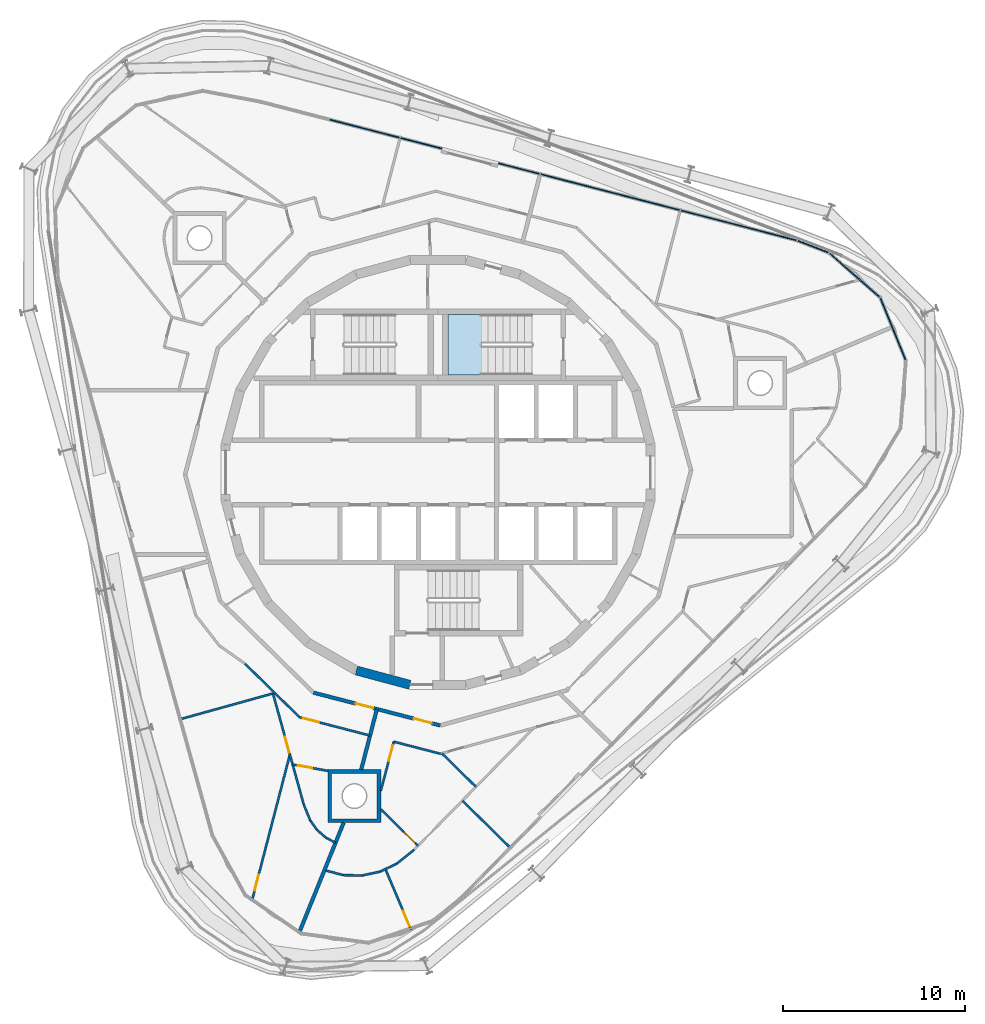
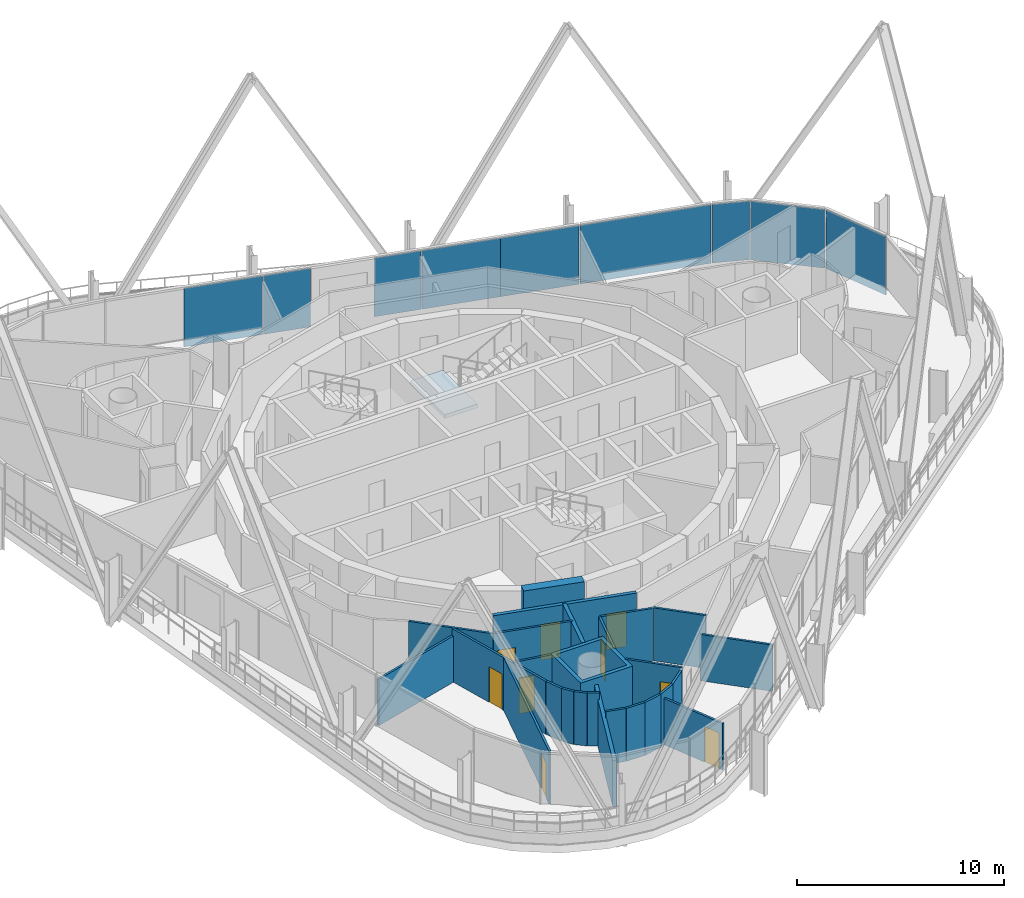
# One storey, part 9 of 18: 26 walls, 9 doors, 9 plates, 1 slab, 9 openings, 3 elements without a shape of their own.
"""IFC4 building model written with IfcOpenShell, lengths in metres."""

from ifc_helpers import new_model, si_unit, direction, frame, frame_2d, origin, origin_2d, place, context, subcontext, project, spatial, polyline, rectangle, outline, extrude, material, layer, layer_set, type_object, element, fill, aggregate, save


model = new_model("IFC4")

# Units and contexts
model_context = context("Model", 3, precision=1e-05, world=origin(), true_north=direction((0.0, 1.0)))
body_context = subcontext(model_context, "Body", "Model", "MODEL_VIEW")
ifc_project = project(units=[si_unit("LENGTHUNIT", "METRE"), si_unit("AREAUNIT", "SQUARE_METRE"), si_unit("VOLUMEUNIT", "CUBIC_METRE"), si_unit("PLANEANGLEUNIT", "RADIAN"), si_unit("MASSUNIT", "GRAM", prefix="KILO")], contexts=[model_context])

# Site, building, storey
site_placement = place(None, origin())
site = spatial("IfcSite", under=ifc_project, at=site_placement, CompositionType="ELEMENT")
building_placement = place(site_placement, origin())
building = spatial("IfcBuilding", under=site, at=building_placement, Name="Spindle Arch Residences", CompositionType="ELEMENT")
storey_placement = place(building_placement, frame((0.0, 0.0, 298.199951171875)))
storey = spatial("IfcBuildingStorey", under=building, at=storey_placement, Name="L76", CompositionType="ELEMENT", Elevation=298.199951171875)

# Stair, slab
ifc_material_1 = material(Name="Concrete C50/60", Category="concrete")
stair_type = type_object("IfcStairType", Name="Exit stair 16 risers", PredefinedType="HALF_TURN_STAIR", material=ifc_material_1)
stair_placement = place(storey_placement, origin())
stair = element("IfcStair", 1, at=stair_placement, inside=storey, type_object=stair_type, Name="L76 Exit stair ST1", PredefinedType="HALF_TURN_STAIR")
ifc_material_2 = material(Name="Concrete C50/60", Category="concrete")
ifc_layer_1 = layer(ifc_material_2, 0.219970703125)
ifc_layer_set_1 = layer_set([ifc_layer_1], Name="Exit stair landing 220")
slab_type = type_object("IfcSlabType", Name="Exit stair landing 220", PredefinedType="LANDING", material=ifc_layer_set_1)
slab_placement = place(storey_placement, frame((0.0, 0.0, 1.530029296875)))
slab = element("IfcSlab", 2, at=slab_placement, type_object=slab_type, Name="ST1 landing 1", PredefinedType="LANDING", context=body_context, shape_type="SweptSolid", body=[
    extrude(outline(polyline([(2.3701171875, 8.669921875), (0.550048828125, 8.669921875), (0.550048828125, 5.35009765625), (2.3701171875, 5.35009765625), (2.3701171875, 8.669921875)])), origin(), (0.0, 0.0, 1.0), 0.219970703125),
])
aggregate(stair, [slab])

# Curtain wall, plates
ifc_material_3 = material(Name="Aluminium bronze unitised frame with tinted glass", Category="aluminium")
ifc_layer_2 = layer(ifc_material_3, 0.159912109375)
ifc_layer_set_2 = layer_set([ifc_layer_2], Name="CW-D corner wall on the fillet arcs")
curtain_wall_type_1 = type_object("IfcCurtainWallType", Name="CW-D corner wall on the fillet arcs", PredefinedType="NOTDEFINED", material=ifc_layer_set_2)
curtain_wall_1_placement = place(storey_placement, origin())
curtain_wall_1 = element("IfcCurtainWall", 3, at=curtain_wall_1_placement, inside=storey, type_object=curtain_wall_type_1, Name="CW-D L76 run 1", PredefinedType="NOTDEFINED")
ifc_material_4 = material(Name="Tinted double glazing over aluminium faced non-combustible spandrel zone (K0)", Category="aluminium")
ifc_layer_3 = layer(ifc_material_4, 0.06005859375)
ifc_layer_set_3 = layer_set([ifc_layer_3], Name="Unitised glass panel with E 60 spandrel zone")
plate_type = type_object("IfcPlateType", Name="Unitised glass panel with E 60 spandrel zone", PredefinedType="CURTAIN_PANEL", material=ifc_layer_set_3)
plate_1_placement = place(storey_placement, frame((24.94384765625, 7.86474609375, -0.44970703125), z_axis=(0.0, 0.0, 1.0), x_axis=(-0.377302072189, 0.926090247396, 0.0)))
plate_1 = element("IfcPlate", 4, at=plate_1_placement, type_object=plate_type, Name="CW-D unit 03", PredefinedType="CURTAIN_PANEL", context=body_context, shape_type="SweptSolid", body=[
    extrude(rectangle(XDim=3.666748046875, YDim=0.06005859375, at=origin_2d()), origin(), (0.0, 0.0, 1.0), 3.449951171875),
])
plate_2_placement = place(storey_placement, frame((22.837890625, 10.81689453125, -0.44970703125), z_axis=(0.0, 0.0, 1.0), x_axis=(-0.752797991635, 0.658251611308, 0.0)))
plate_2 = element("IfcPlate", 5, at=plate_2_placement, type_object=plate_type, Name="CW-D unit 04", PredefinedType="CURTAIN_PANEL", context=body_context, shape_type="SweptSolid", body=[
    extrude(rectangle(XDim=3.666748046875, YDim=0.06005859375, at=origin_2d()), origin(), (0.0, 0.0, 1.0), 3.449951171875),
])
plate_3_placement = place(storey_placement, frame((20.560546875, 12.38232421875, -0.44970703125), z_axis=(0.0, 0.0, 1.0), x_axis=(-0.932534030225, 0.361082099353, 0.0)))
plate_3 = element("IfcPlate", 6, at=plate_3_placement, type_object=plate_type, Name="CW-D unit 05", PredefinedType="CURTAIN_PANEL", context=body_context, shape_type="SweptSolid", body=[
    extrude(rectangle(XDim=1.816162109375, YDim=0.06005859375, at=origin_2d()), origin(), (0.0, 0.0, 1.0), 3.449951171875),
])
plate_4_placement = place(storey_placement, frame((16.483154296875, 13.549072265625, -0.44970703125), z_axis=(0.0, 0.0, 1.0), x_axis=(-0.968147640378, 0.250380004054, 0.0)))
plate_4 = element("IfcPlate", 7, at=plate_4_placement, type_object=plate_type, Name="CW-D unit 06", PredefinedType="CURTAIN_PANEL", context=body_context, shape_type="SweptSolid", body=[
    extrude(rectangle(XDim=6.555908203125, YDim=0.06005859375, at=origin_2d()), origin(), (0.0, 0.0, 1.0), 3.449951171875),
])
aggregate(curtain_wall_1, [plate_1, plate_2, plate_3, plate_4])

ifc_material_5 = material(Name="Aluminium bronze unitised frame with tinted glass", Category="aluminium")
ifc_layer_4 = layer(ifc_material_5, 0.159912109375)
ifc_layer_set_4 = layer_set([ifc_layer_4], Name="CW-C typical residential unitised wall")
curtain_wall_type_2 = type_object("IfcCurtainWallType", Name="CW-C typical residential unitised wall", PredefinedType="NOTDEFINED", material=ifc_layer_set_4)
curtain_wall_2_placement = place(storey_placement, origin())
curtain_wall_2 = element("IfcCurtainWall", 8, at=curtain_wall_2_placement, inside=storey, type_object=curtain_wall_type_2, Name="CW-C L76 run 2", PredefinedType="NOTDEFINED")
plate_5_placement = place(storey_placement, frame((11.34521484375, 14.8779296875, -0.44970703125), z_axis=(0.0, 0.0, 1.0), x_axis=(-0.968147640378, 0.250380004054, 0.0)))
plate_5 = element("IfcPlate", 9, at=plate_5_placement, type_object=plate_type, Name="CW-C unit 05A", PredefinedType="CURTAIN_PANEL", context=body_context, shape_type="SweptSolid", body=[
    extrude(rectangle(XDim=3.9375, YDim=0.06005859375, at=origin_2d()), origin(), (0.0, 0.0, 1.0), 3.449951171875),
])
plate_6_placement = place(storey_placement, frame((7.533203125, 15.86376953125, -0.44970703125), z_axis=(0.0, 0.0, 1.0), x_axis=(-0.968147640378, 0.250380004054, 0.0)))
plate_6 = element("IfcPlate", 10, at=plate_6_placement, type_object=plate_type, Name="CW-C unit 05B", PredefinedType="CURTAIN_PANEL", context=body_context, shape_type="SweptSolid", body=[
    extrude(rectangle(XDim=3.9375, YDim=0.06005859375, at=origin_2d()), origin(), (0.0, 0.0, 1.0), 3.449951171875),
])
plate_7_placement = place(storey_placement, frame((4.4375, 16.664306640625, -0.44970703125), z_axis=(0.0, 0.0, 1.0), x_axis=(-0.968147640378, 0.250380004054, 0.0)))
plate_7 = element("IfcPlate", 11, at=plate_7_placement, type_object=plate_type, Name="CW-C unit 06L", PredefinedType="CURTAIN_PANEL", context=body_context, shape_type="SweptSolid", body=[
    extrude(rectangle(XDim=2.337646484375, YDim=0.06005859375, at=origin_2d()), origin(), (0.0, 0.0, 1.0), 3.449951171875),
])
plate_8_placement = place(storey_placement, frame((-0.923583984375, 18.05078125, -0.44970703125), z_axis=(0.0, 0.0, 1.0), x_axis=(-0.968147640378, 0.250380004054, 0.0)))
plate_8 = element("IfcPlate", 12, at=plate_8_placement, type_object=plate_type, Name="CW-C unit 06R", PredefinedType="CURTAIN_PANEL", context=body_context, shape_type="SweptSolid", body=[
    extrude(rectangle(XDim=2.337646484375, YDim=0.06005859375, at=origin_2d()), origin(), (0.0, 0.0, 1.0), 3.449951171875),
])
plate_9_placement = place(storey_placement, frame((-4.019287109375, 18.8515625, -0.44970703125), z_axis=(0.0, 0.0, 1.0), x_axis=(-0.968147640378, 0.250380004054, 0.0)))
plate_9 = element("IfcPlate", 13, at=plate_9_placement, type_object=plate_type, Name="CW-C unit 07A", PredefinedType="CURTAIN_PANEL", context=body_context, shape_type="SweptSolid", body=[
    extrude(rectangle(XDim=3.9375, YDim=0.06005859375, at=origin_2d()), origin(), (0.0, 0.0, 1.0), 3.449951171875),
])
aggregate(curtain_wall_2, [plate_5, plate_6, plate_7, plate_8, plate_9])

# Wall
ifc_material_6 = material(Name="Concrete C50/60", Category="concrete")
ifc_layer_5 = layer(ifc_material_6, 0.5)
ifc_layer_set_5 = layer_set([ifc_layer_5], Name="Core outline wall 500")
wall_type_1 = type_object("IfcWallType", Name="Core outline wall 500", PredefinedType="SHEAR", material=ifc_layer_set_5)
wall_1_placement = place(storey_placement, frame((-4.479248046875, -10.858154296875, 0.0), z_axis=(0.0, 0.0, 1.0), x_axis=(0.965948410781, -0.258734743916, 0.0)))
element("IfcWall", 14, at=wall_1_placement, inside=storey, type_object=wall_type_1, Name="Core outline wall 23", PredefinedType="SHEAR", context=body_context, shape_type="SweptSolid", body=[
    extrude(rectangle(XDim=3.03271484375, YDim=0.5, at=frame_2d((1.516357421875, 0.0))), origin(), (0.0, 0.0, 1.0), 3.1201171875),
])

# Wall, openings, doors
ifc_material_7 = material(Name="Calcium silicate block, plastered")
ifc_layer_6 = layer(ifc_material_7, 0.199951171875)
ifc_layer_set_6 = layer_set([ifc_layer_6], Name="Corridor wall 200")
wall_type_2 = type_object("IfcWallType", Name="Corridor wall 200", PredefinedType="STANDARD", material=ifc_layer_set_6)
wall_2_placement = place(storey_placement, frame((-6.831298828125, -12.07421875, 0.0), z_axis=(0.0, 0.0, 1.0), x_axis=(0.968144780225, -0.250391063186, 0.0)))
wall_2 = element("IfcWall", 15, at=wall_2_placement, inside=storey, type_object=wall_type_2, Name="Corridor wall R8A0-W014", PredefinedType="STANDARD", context=body_context, shape_type="SweptSolid", body=[
    extrude(rectangle(XDim=7.18115234375, YDim=0.199951171875, at=frame_2d((3.590576171875, 0.0))), origin(), (0.0, 0.0, 1.0), 3.1201171875),
])
opening_1_placement = place(wall_2_placement, frame((2.390380859375, 0.0, 0.0)))
opening_1 = element("IfcOpeningElement", 16, at=opening_1_placement, cuts=wall_2, Name="Opening R8A0-FD04", PredefinedType="OPENING", context=body_context, shape_type="SweptSolid", body=[
    extrude(rectangle(XDim=1.0, YDim=2.10009765625, at=frame_2d((0.5, 1.050048828125))), frame((0.0, 0.10986328125, 0.0), z_axis=(0.0, -1.0, 0.0), x_axis=(1.0, 0.0, 0.0)), (0.0, 0.0, 1.0), 0.219970703125),
])
opening_2_placement = place(wall_2_placement, frame((5.6904296875, 0.0, 0.0)))
opening_2 = element("IfcOpeningElement", 17, at=opening_2_placement, cuts=wall_2, Name="Opening R8A0-FD05", PredefinedType="OPENING", context=body_context, shape_type="SweptSolid", body=[
    extrude(rectangle(XDim=1.0, YDim=2.10009765625, at=frame_2d((0.5, 1.050048828125))), frame((0.0, 0.10986328125, 0.0), z_axis=(0.0, -1.0, 0.0), x_axis=(1.0, 0.0, 0.0)), (0.0, 0.0, 1.0), 0.219970703125),
])
ifc_material_8 = material(Name="Timber, fire-resisting door set", Category="wood")
door_type_1 = type_object("IfcDoorType", Name="Flat entrance door 1000x2100", OperationType="NOTDEFINED", PredefinedType="DOOR", material=ifc_material_8)
door_1_placement = place(opening_1_placement, origin())
door_1 = element("IfcDoor", 18, at=door_1_placement, inside=storey, type_object=door_type_1, Name="Flat entrance door R8A0-FD04", OperationType="SINGLE_SWING_RIGHT", OverallHeight=2.10009765625, OverallWidth=1.0, PredefinedType="DOOR", context=body_context, shape_type="SweptSolid", body=[
    extrude(rectangle(XDim=1.0, YDim=2.10009765625, at=frame_2d((0.5, 1.050048828125))), frame((0.0, 0.02490234375, 0.0), z_axis=(0.0, -1.0, 0.0), x_axis=(1.0, 0.0, 0.0)), (0.0, 0.0, 1.0), 0.050048828125),
])
fill(opening_1, door_1)
door_2_placement = place(opening_2_placement, origin())
door_2 = element("IfcDoor", 19, at=door_2_placement, inside=storey, type_object=door_type_1, Name="Flat entrance door R8A0-FD05", OperationType="SINGLE_SWING_LEFT", OverallHeight=2.10009765625, OverallWidth=1.0, PredefinedType="DOOR", context=body_context, shape_type="SweptSolid", body=[
    extrude(rectangle(XDim=1.0, YDim=2.10009765625, at=frame_2d((0.5, 1.050048828125))), frame((0.0, 0.02490234375, 0.0), z_axis=(0.0, -1.0, 0.0), x_axis=(1.0, 0.0, 0.0)), (0.0, 0.0, 1.0), 0.050048828125),
])
fill(opening_2, door_2)

# Wall
ifc_material_9 = material(Name="Plasterboard on steel studs", Category="steel")
ifc_layer_7 = layer(ifc_material_9, 0.1201171875)
ifc_layer_set_7 = layer_set([ifc_layer_7], Name="Flat partition 120")
wall_type_3 = type_object("IfcWallType", Name="Flat partition 120", PredefinedType="PARTITIONING", material=ifc_layer_set_7)
wall_3_placement = place(storey_placement, frame((-10.59033203125, -10.483154296875, 0.0), z_axis=(0.0, 0.0, 1.0), x_axis=(0.713244109461, -0.70091571556, 0.0)))
element("IfcWall", 20, at=wall_3_placement, inside=storey, type_object=wall_type_3, Name="Flat partition R8A0-W073", PredefinedType="PARTITIONING", context=body_context, shape_type="SweptSolid", body=[
    extrude(rectangle(XDim=4.1982421875, YDim=0.1201171875, at=frame_2d((2.09912109375, 0.0))), origin(), (0.0, 0.0, 1.0), 3.1201171875),
])

# Wall, opening, door
wall_4_placement = place(storey_placement, frame((-7.595947265625, -13.42578125, 0.0), z_axis=(0.0, 0.0, 1.0), x_axis=(0.96815406745, -0.250355151095, 0.0)))
wall_4 = element("IfcWall", 21, at=wall_4_placement, inside=storey, type_object=wall_type_3, Name="Flat partition R8A0-W074", PredefinedType="PARTITIONING", context=body_context, shape_type="SweptSolid", body=[
    extrude(rectangle(XDim=3.992431640625, YDim=0.1201171875, at=frame_2d((1.99609375, 0.0))), origin(), (0.0, 0.0, 1.0), 3.1201171875),
])
opening_3_placement = place(wall_4_placement, frame((0.199951171875, 0.0, 0.0)))
opening_3 = element("IfcOpeningElement", 22, at=opening_3_placement, cuts=wall_4, Name="Opening R8A0-ID13", PredefinedType="OPENING", context=body_context, shape_type="SweptSolid", body=[
    extrude(rectangle(XDim=0.89990234375, YDim=2.10009765625, at=frame_2d((0.449951171875, 1.050048828125))), frame((0.0, 0.070068359375, 0.0), z_axis=(0.0, -1.0, 0.0), x_axis=(1.0, 0.0, 0.0)), (0.0, 0.0, 1.0), 0.14013671875),
])
ifc_material_10 = material(Name="Timber door set", Category="wood")
door_type_2 = type_object("IfcDoorType", Name="Room door 900x2100", OperationType="NOTDEFINED", PredefinedType="DOOR", material=ifc_material_10)
door_3_placement = place(opening_3_placement, origin())
door_3 = element("IfcDoor", 23, at=door_3_placement, inside=storey, type_object=door_type_2, Name="Room door R8A0-ID13", OperationType="SINGLE_SWING_RIGHT", OverallHeight=2.10009765625, OverallWidth=0.89990234375, PredefinedType="DOOR", context=body_context, shape_type="SweptSolid", body=[
    extrude(rectangle(XDim=0.89990234375, YDim=2.10009765625, at=frame_2d((0.449951171875, 1.050048828125))), frame((0.0, 0.02490234375, 0.0), z_axis=(0.0, -1.0, 0.0), x_axis=(1.0, 0.0, 0.0)), (0.0, 0.0, 1.0), 0.050048828125),
])
fill(opening_3, door_3)

wall_5_placement = place(storey_placement, frame((-7.368408203125, -18.201904296875, 0.0), z_axis=(0.0, 0.0, 1.0), x_axis=(-0.26723158658, 0.963632336077, 0.0)))
wall_5 = element("IfcWall", 24, at=wall_5_placement, inside=storey, type_object=wall_type_3, Name="Flat partition R8A0-W076", PredefinedType="PARTITIONING", context=body_context, shape_type="SweptSolid", body=[
    extrude(rectangle(XDim=6.35302734375, YDim=0.1201171875, at=frame_2d((3.176513671875, 0.0))), origin(), (0.0, 0.0, 1.0), 3.1201171875),
])
opening_4_placement = place(wall_5_placement, frame((2.9560546875, 0.0, 0.0)))
opening_4 = element("IfcOpeningElement", 25, at=opening_4_placement, cuts=wall_5, Name="Opening R8A0-ID14", PredefinedType="OPENING", context=body_context, shape_type="SweptSolid", body=[
    extrude(rectangle(XDim=0.89990234375, YDim=2.10009765625, at=frame_2d((0.449951171875, 1.050048828125))), frame((0.0, 0.070068359375, 0.0), z_axis=(0.0, -1.0, 0.0), x_axis=(1.0, 0.0, 0.0)), (0.0, 0.0, 1.0), 0.14013671875),
])
door_4_placement = place(opening_4_placement, origin())
door_4 = element("IfcDoor", 26, at=door_4_placement, inside=storey, type_object=door_type_2, Name="Room door R8A0-ID14", OperationType="SINGLE_SWING_RIGHT", OverallHeight=2.10009765625, OverallWidth=0.89990234375, PredefinedType="DOOR", context=body_context, shape_type="SweptSolid", body=[
    extrude(rectangle(XDim=0.89990234375, YDim=2.10009765625, at=frame_2d((0.449951171875, 1.050048828125))), frame((0.0, 0.02490234375, 0.0), z_axis=(0.0, -1.0, 0.0), x_axis=(1.0, 0.0, 0.0)), (0.0, 0.0, 1.0), 0.050048828125),
])
fill(opening_4, door_4)

wall_6_placement = place(storey_placement, frame((-10.18603515625, -23.406494140625, 0.0), z_axis=(0.0, 0.0, 1.0), x_axis=(0.251184292323, 0.967939280787, 0.0)))
wall_6 = element("IfcWall", 27, at=wall_6_placement, inside=storey, type_object=wall_type_3, Name="Flat partition R8A0-W077", PredefinedType="PARTITIONING", context=body_context, shape_type="SweptSolid", body=[
    extrude(rectangle(XDim=8.200439453125, YDim=0.1201171875, at=frame_2d((4.10009765625, 0.0))), origin(), (0.0, 0.0, 1.0), 3.1201171875),
])
opening_5_placement = place(wall_6_placement, frame((0.5, 0.0, 0.0)))
opening_5 = element("IfcOpeningElement", 28, at=opening_5_placement, cuts=wall_6, Name="Opening R8A0-ID15", PredefinedType="OPENING", context=body_context, shape_type="SweptSolid", body=[
    extrude(rectangle(XDim=0.89990234375, YDim=2.10009765625, at=frame_2d((0.449951171875, 1.050048828125))), frame((0.0, 0.070068359375, 0.0), z_axis=(0.0, -1.0, 0.0), x_axis=(1.0, 0.0, 0.0)), (0.0, 0.0, 1.0), 0.14013671875),
])
door_5_placement = place(opening_5_placement, origin())
door_5 = element("IfcDoor", 29, at=door_5_placement, inside=storey, type_object=door_type_2, Name="Room door R8A0-ID15", OperationType="SINGLE_SWING_RIGHT", OverallHeight=2.10009765625, OverallWidth=0.89990234375, PredefinedType="DOOR", context=body_context, shape_type="SweptSolid", body=[
    extrude(rectangle(XDim=0.89990234375, YDim=2.10009765625, at=frame_2d((0.449951171875, 1.050048828125))), frame((0.0, 0.02490234375, 0.0), z_axis=(0.0, -1.0, 0.0), x_axis=(1.0, 0.0, 0.0)), (0.0, 0.0, 1.0), 0.050048828125),
])
fill(opening_5, door_5)

wall_7_placement = place(storey_placement, frame((-7.974853515625, -16.014892578125, 0.0), z_axis=(0.0, 0.0, 1.0), x_axis=(0.984356897167, -0.176185978441, 0.0)))
wall_7 = element("IfcWall", 30, at=wall_7_placement, inside=storey, type_object=wall_type_3, Name="Flat partition R8A0-W078", PredefinedType="PARTITIONING", context=body_context, shape_type="SweptSolid", body=[
    extrude(rectangle(XDim=1.96630859375, YDim=0.1201171875, at=frame_2d((0.983154296875, 0.0))), origin(), (0.0, 0.0, 1.0), 3.1201171875),
])
opening_6_placement = place(wall_7_placement, frame((0.300048828125, 0.0, 0.0)))
opening_6 = element("IfcOpeningElement", 31, at=opening_6_placement, cuts=wall_7, Name="Opening R8A0-BD04", PredefinedType="OPENING", context=body_context, shape_type="SweptSolid", body=[
    extrude(rectangle(XDim=0.800048828125, YDim=2.10009765625, at=frame_2d((0.39990234375, 1.050048828125))), frame((0.0, 0.070068359375, 0.0), z_axis=(0.0, -1.0, 0.0), x_axis=(1.0, 0.0, 0.0)), (0.0, 0.0, 1.0), 0.14013671875),
])
ifc_material_11 = material(Name="Timber door set", Category="wood")
door_type_3 = type_object("IfcDoorType", Name="Bathroom door 800x2100", OperationType="NOTDEFINED", PredefinedType="DOOR", material=ifc_material_11)
door_6_placement = place(opening_6_placement, origin())
door_6 = element("IfcDoor", 32, at=door_6_placement, inside=storey, type_object=door_type_3, Name="Bathroom door R8A0-BD04", OperationType="SINGLE_SWING_RIGHT", OverallHeight=2.10009765625, OverallWidth=0.800048828125, PredefinedType="DOOR", context=body_context, shape_type="SweptSolid", body=[
    extrude(rectangle(XDim=0.800048828125, YDim=2.10009765625, at=frame_2d((0.39990234375, 1.050048828125))), frame((0.0, 0.02490234375, 0.0), z_axis=(0.0, -1.0, 0.0), x_axis=(1.0, 0.0, 0.0)), (0.0, 0.0, 1.0), 0.050048828125),
])
fill(opening_6, door_6)

# Walls
wall_8_placement = place(storey_placement, frame((-5.623291015625, -20.3046875, 0.0), z_axis=(0.0, 0.0, 1.0), x_axis=(-0.884133271246, 0.467234800369, 0.0)))
element("IfcWall", 33, at=wall_8_placement, inside=storey, type_object=wall_type_3, Name="Flat partition R8A0-W079", PredefinedType="PARTITIONING", context=body_context, shape_type="SweptSolid", body=[
    extrude(rectangle(XDim=0.601318359375, YDim=0.1201171875, at=frame_2d((0.30078125, 0.0))), origin(), (0.0, 0.0, 1.0), 3.1201171875),
])
wall_9_placement = place(storey_placement, frame((-6.155029296875, -20.023681640625, 0.0), z_axis=(0.0, 0.0, 1.0), x_axis=(-0.753047703781, 0.657965923001, 0.0)))
element("IfcWall", 34, at=wall_9_placement, inside=storey, type_object=wall_type_3, Name="Flat partition R8A0-W080", PredefinedType="PARTITIONING", context=body_context, shape_type="SweptSolid", body=[
    extrude(rectangle(XDim=0.641845703125, YDim=0.1201171875, at=frame_2d((0.32080078125, 0.0))), origin(), (0.0, 0.0, 1.0), 3.1201171875),
])
wall_10_placement = place(storey_placement, frame((-6.638427734375, -19.601318359375, 0.0), z_axis=(0.0, 0.0, 1.0), x_axis=(-0.580662514246, 0.814144363458, 0.0)))
element("IfcWall", 35, at=wall_10_placement, inside=storey, type_object=wall_type_3, Name="Flat partition R8A0-W081", PredefinedType="PARTITIONING", context=body_context, shape_type="SweptSolid", body=[
    extrude(rectangle(XDim=0.64208984375, YDim=0.1201171875, at=frame_2d((0.321044921875, 0.0))), origin(), (0.0, 0.0, 1.0), 3.1201171875),
])
wall_11_placement = place(storey_placement, frame((-7.01123046875, -19.07861328125, 0.0), z_axis=(0.0, 0.0, 1.0), x_axis=(-0.377296887314, 0.92609235977, 0.0)))
element("IfcWall", 36, at=wall_11_placement, inside=storey, type_object=wall_type_3, Name="Flat partition R8A0-W082", PredefinedType="PARTITIONING", context=body_context, shape_type="SweptSolid", body=[
    extrude(rectangle(XDim=0.94677734375, YDim=0.1201171875, at=frame_2d((0.473388671875, 0.0))), origin(), (0.0, 0.0, 1.0), 3.1201171875),
])

# Wall, opening, door
wall_12_placement = place(storey_placement, frame((-3.139404296875, -17.447509765625, 0.0), z_axis=(0.0, 0.0, 1.0), x_axis=(0.256551998295, 0.966530430028, 0.0)))
wall_12 = element("IfcWall", 37, at=wall_12_placement, inside=storey, type_object=wall_type_3, Name="Flat partition R8A0-W083", PredefinedType="PARTITIONING", context=body_context, shape_type="SweptSolid", body=[
    extrude(rectangle(XDim=2.77783203125, YDim=0.1201171875, at=frame_2d((1.388916015625, 0.0))), origin(), (0.0, 0.0, 1.0), 3.1201171875),
])
opening_7_placement = place(wall_12_placement, frame((1.677978515625, 0.0, 0.0)))
opening_7 = element("IfcOpeningElement", 38, at=opening_7_placement, cuts=wall_12, Name="Opening R8A0-ID16", PredefinedType="OPENING", context=body_context, shape_type="SweptSolid", body=[
    extrude(rectangle(XDim=0.89990234375, YDim=2.10009765625, at=frame_2d((0.449951171875, 1.050048828125))), frame((0.0, 0.070068359375, 0.0), z_axis=(0.0, -1.0, 0.0), x_axis=(1.0, 0.0, 0.0)), (0.0, 0.0, 1.0), 0.14013671875),
])
door_7_placement = place(opening_7_placement, origin())
door_7 = element("IfcDoor", 39, at=door_7_placement, inside=storey, type_object=door_type_2, Name="Room door R8A0-ID16", OperationType="SINGLE_SWING_LEFT", OverallHeight=2.10009765625, OverallWidth=0.89990234375, PredefinedType="DOOR", context=body_context, shape_type="SweptSolid", body=[
    extrude(rectangle(XDim=0.89990234375, YDim=2.10009765625, at=frame_2d((0.449951171875, 1.050048828125))), frame((0.0, 0.02490234375, 0.0), z_axis=(0.0, -1.0, 0.0), x_axis=(1.0, 0.0, 0.0)), (0.0, 0.0, 1.0), 0.050048828125),
])
fill(opening_7, door_7)

# Walls
wall_13_placement = place(storey_placement, frame((-2.4267578125, -14.7626953125, 0.0), z_axis=(0.0, 0.0, 1.0), x_axis=(0.968151154118, -0.250366417036, 0.0)))
element("IfcWall", 40, at=wall_13_placement, inside=storey, type_object=wall_type_3, Name="Flat partition R8A0-W084", PredefinedType="PARTITIONING", context=body_context, shape_type="SweptSolid", body=[
    extrude(rectangle(XDim=2.6455078125, YDim=0.1201171875, at=frame_2d((1.32275390625, 0.0))), origin(), (0.0, 0.0, 1.0), 3.1201171875),
])
wall_14_placement = place(storey_placement, frame((-2.259765625, -21.44921875, 0.0), z_axis=(0.0, 0.0, 1.0), x_axis=(-0.90254047062, -0.430605038166, 0.0)))
element("IfcWall", 41, at=wall_14_placement, inside=storey, type_object=wall_type_3, Name="Flat partition R8A0-W086", PredefinedType="PARTITIONING", context=body_context, shape_type="SweptSolid", body=[
    extrude(rectangle(XDim=1.01611328125, YDim=0.1201171875, at=frame_2d((0.508056640625, 0.0))), origin(), (0.0, 0.0, 1.0), 3.1201171875),
])
for number, where, z_axis, x_axis, name in (
    (42, (-3.1767578125, -21.88671875, 0.0), (0.0, 0.0, 1.0), (-0.977541432368, -0.210743322563, 0.0), "Flat partition R8A0-W087"),
    (43, (-4.169921875, -22.100830078125, 0.0), (0.0, 0.0, 1.0), (-0.999791317883, 0.02042842837, 0.0), "Flat partition R8A0-W088"),
):
    element("IfcWall", number, at=place(storey_placement, frame(where, z_axis=z_axis, x_axis=x_axis)), inside=storey, type_object=wall_type_3, Name=name, PredefinedType="PARTITIONING", context=body_context, shape_type="SweptSolid", body=[
        extrude(rectangle(XDim=1.015869140625, YDim=0.1201171875, at=frame_2d((0.5078125, 0.0))), origin(), (0.0, 0.0, 1.0), 3.1201171875),
    ])
wall_15_placement = place(storey_placement, frame((-5.185546875, -22.080078125, 0.0), z_axis=(0.0, 0.0, 1.0), x_axis=(-0.968145907309, 0.250386705241, 0.0)))
element("IfcWall", 44, at=wall_15_placement, inside=storey, type_object=wall_type_3, Name="Flat partition R8A0-W089", PredefinedType="PARTITIONING", context=body_context, shape_type="SweptSolid", body=[
    extrude(rectangle(XDim=1.01611328125, YDim=0.1201171875, at=frame_2d((0.508056640625, 0.0))), origin(), (0.0, 0.0, 1.0), 3.1201171875),
])

# Wall, opening, door
wall_16_placement = place(storey_placement, frame((-1.101318359375, -20.4736328125, 0.0), z_axis=(0.0, 0.0, 1.0), x_axis=(-0.713316946232, 0.700841589961, 0.0)))
wall_16 = element("IfcWall", 45, at=wall_16_placement, inside=storey, type_object=wall_type_3, Name="Flat partition R8A0-W091", PredefinedType="PARTITIONING", context=body_context, shape_type="SweptSolid", body=[
    extrude(rectangle(XDim=2.857177734375, YDim=0.1201171875, at=frame_2d((1.4287109375, 0.0))), origin(), (0.0, 0.0, 1.0), 3.1201171875),
])
opening_8_placement = place(wall_16_placement, frame((0.199951171875, 0.0, 0.0)))
opening_8 = element("IfcOpeningElement", 46, at=opening_8_placement, cuts=wall_16, Name="Opening R8A0-ID18", PredefinedType="OPENING", context=body_context, shape_type="SweptSolid", body=[
    extrude(rectangle(XDim=0.89990234375, YDim=2.10009765625, at=frame_2d((0.449951171875, 1.050048828125))), frame((0.0, 0.070068359375, 0.0), z_axis=(0.0, -1.0, 0.0), x_axis=(1.0, 0.0, 0.0)), (0.0, 0.0, 1.0), 0.14013671875),
])
door_8_placement = place(opening_8_placement, origin())
door_8 = element("IfcDoor", 47, at=door_8_placement, inside=storey, type_object=door_type_2, Name="Room door R8A0-ID18", OperationType="SINGLE_SWING_LEFT", OverallHeight=2.10009765625, OverallWidth=0.89990234375, PredefinedType="DOOR", context=body_context, shape_type="SweptSolid", body=[
    extrude(rectangle(XDim=0.89990234375, YDim=2.10009765625, at=frame_2d((0.449951171875, 1.050048828125))), frame((0.0, 0.02490234375, 0.0), z_axis=(0.0, -1.0, 0.0), x_axis=(1.0, 0.0, 0.0)), (0.0, 0.0, 1.0), 0.050048828125),
])
fill(opening_8, door_8)

# Walls
wall_17_placement = place(storey_placement, frame((-2.259765625, -21.44921875, 0.0), z_axis=(0.0, 0.0, 1.0), x_axis=(0.779021167429, 0.626997624156, 0.0)))
element("IfcWall", 48, at=wall_17_placement, inside=storey, type_object=wall_type_3, Name="Flat partition R8A0-W092", PredefinedType="PARTITIONING", context=body_context, shape_type="SweptSolid", body=[
    extrude(rectangle(XDim=1.22705078125, YDim=0.1201171875, at=frame_2d((0.613525390625, 0.0))), origin(), (0.0, 0.0, 1.0), 3.1201171875),
])
wall_18_placement = place(storey_placement, frame((2.076904296875, -17.2392578125, 0.0), z_axis=(0.0, 0.0, 1.0), x_axis=(-0.713235001716, 0.700924983381, 0.0)))
element("IfcWall", 49, at=wall_18_placement, inside=storey, type_object=wall_type_3, Name="Flat partition R8A0-W094", PredefinedType="PARTITIONING", context=body_context, shape_type="SweptSolid", body=[
    extrude(rectangle(XDim=2.617919921875, YDim=0.1201171875, at=frame_2d((1.30908203125, 0.0))), origin(), (0.0, 0.0, 1.0), 3.1201171875),
])
ifc_material_12 = material(Name="Plasterboard on steel studs", Category="steel")
ifc_layer_8 = layer(ifc_material_12, 0.1201171875)
ifc_layer_set_8 = layer_set([ifc_layer_8], Name="Flat partition 120 under beam 2730")
wall_type_4 = type_object("IfcWallType", Name="Flat partition 120 under beam 2730", PredefinedType="PARTITIONING", material=ifc_layer_set_8)
wall_19_placement = place(storey_placement, frame((-14.06640625, -13.5078125, 0.0), z_axis=(0.0, 0.0, 1.0), x_axis=(0.963643585504, 0.267191018032, 0.0)))
element("IfcWall", 50, at=wall_19_placement, inside=storey, type_object=wall_type_4, Name="Flat partition R8A0-W075", PredefinedType="PARTITIONING", context=body_context, shape_type="SweptSolid", body=[
    extrude(rectangle(XDim=5.199951171875, YDim=0.1201171875, at=frame_2d((2.60009765625, 0.0))), origin(), (0.0, 0.0, 1.0), 2.72998046875),
])

# Wall, opening, door
wall_20_placement = place(storey_placement, frame((-1.47998046875, -25.06591796875, 0.0), z_axis=(0.0, 0.0, 1.0), x_axis=(-0.3909326022, 0.920419306912, 0.0)))
wall_20 = element("IfcWall", 51, at=wall_20_placement, inside=storey, type_object=wall_type_4, Name="Flat partition R8A0-W090", PredefinedType="PARTITIONING", context=body_context, shape_type="SweptSolid", body=[
    extrude(rectangle(XDim=3.603515625, YDim=0.1201171875, at=frame_2d((1.8017578125, 0.0))), origin(), (0.0, 0.0, 1.0), 2.72998046875),
])
opening_9_placement = place(wall_20_placement, frame((0.199951171875, 0.0, 0.0)))
opening_9 = element("IfcOpeningElement", 52, at=opening_9_placement, cuts=wall_20, Name="Opening R8A0-ID20", PredefinedType="OPENING", context=body_context, shape_type="SweptSolid", body=[
    extrude(rectangle(XDim=0.89990234375, YDim=2.10009765625, at=frame_2d((0.449951171875, 1.050048828125))), frame((0.0, 0.070068359375, 0.0), z_axis=(0.0, -1.0, 0.0), x_axis=(1.0, 0.0, 0.0)), (0.0, 0.0, 1.0), 0.14013671875),
])
door_9_placement = place(opening_9_placement, origin())
door_9 = element("IfcDoor", 53, at=door_9_placement, inside=storey, type_object=door_type_2, Name="Room door R8A0-ID20", OperationType="SINGLE_SWING_LEFT", OverallHeight=2.10009765625, OverallWidth=0.89990234375, PredefinedType="DOOR", context=body_context, shape_type="SweptSolid", body=[
    extrude(rectangle(XDim=0.89990234375, YDim=2.10009765625, at=frame_2d((0.449951171875, 1.050048828125))), frame((0.0, 0.02490234375, 0.0), z_axis=(0.0, -1.0, 0.0), x_axis=(1.0, 0.0, 0.0)), (0.0, 0.0, 1.0), 0.050048828125),
])
fill(opening_9, door_9)

# Walls
wall_21_placement = place(storey_placement, frame((3.89990234375, -20.5205078125, 0.0), z_axis=(0.0, 0.0, 1.0), x_axis=(-0.713217465002, 0.700942827637, 0.0)))
element("IfcWall", 54, at=wall_21_placement, inside=storey, type_object=wall_type_4, Name="Flat partition R8A0-W095", PredefinedType="PARTITIONING", context=body_context, shape_type="SweptSolid", body=[
    extrude(rectangle(XDim=3.60009765625, YDim=0.1201171875, at=frame_2d((1.800048828125, 0.0))), origin(), (0.0, 0.0, 1.0), 2.72998046875),
])
ifc_material_13 = material(Name="Calcium silicate block, plastered")
ifc_layer_9 = layer(ifc_material_13, 0.199951171875)
ifc_layer_set_9 = layer_set([ifc_layer_9], Name="Flat party wall 200")
wall_type_5 = type_object("IfcWallType", Name="Flat party wall 200", PredefinedType="STANDARD", material=ifc_layer_set_9)
wall_22_placement = place(storey_placement, frame((-4.21435546875, -16.29541015625, 0.0), z_axis=(0.0, 0.0, 1.0), x_axis=(0.250428810918, 0.968135016752, 0.0)))
element("IfcWall", 55, at=wall_22_placement, inside=storey, type_object=wall_type_5, Name="Flat party wall R8A0-W029", PredefinedType="STANDARD", context=body_context, shape_type="SweptSolid", body=[
    extrude(rectangle(XDim=3.431640625, YDim=0.199951171875, at=frame_2d((1.7158203125, 0.0))), origin(), (0.0, 0.0, 1.0), 3.1201171875),
])
ifc_material_14 = material(Name="Calcium silicate block, plastered")
ifc_layer_10 = layer(ifc_material_14, 0.199951171875)
ifc_layer_set_10 = layer_set([ifc_layer_10], Name="Flat party wall 200 under beam 2730")
wall_type_6 = type_object("IfcWallType", Name="Flat party wall 200 under beam 2730", PredefinedType="STANDARD", material=ifc_layer_set_10)
wall_23_placement = place(storey_placement, frame((-7.581787109375, -25.15087890625, 0.0), z_axis=(0.0, 0.0, 1.0), x_axis=(0.374645287615, 0.927168220156, 0.0)))
element("IfcWall", 56, at=wall_23_placement, inside=storey, type_object=wall_type_6, Name="Flat party wall R8A0-W030", PredefinedType="STANDARD", context=body_context, shape_type="SweptSolid", body=[
    extrude(rectangle(XDim=6.42333984375, YDim=0.199951171875, at=frame_2d((3.211669921875, 0.0))), origin(), (0.0, 0.0, 1.0), 2.72998046875),
])
ifc_material_15 = material(Name="Calcium silicate block, plastered")
ifc_layer_11 = layer(ifc_material_15, 0.199951171875)
ifc_layer_set_11 = layer_set([ifc_layer_11], Name="Mega-column casing wall 200")
wall_type_7 = type_object("IfcWallType", Name="Mega-column casing wall 200", PredefinedType="STANDARD", material=ifc_layer_set_11)
wall_24_placement = place(storey_placement, origin())
element("IfcWall", 57, at=wall_24_placement, inside=storey, type_object=wall_type_7, Name="Mega-column casing wall R8A0-WC03", PredefinedType="STANDARD", context=body_context, shape_type="SweptSolid", body=[
    extrude(outline(polyline([(-3.139404296875, -16.29541015625), (-3.139404296875, -19.1953125), (-6.039306640625, -19.1953125), (-6.039306640625, -16.29541015625), (-3.139404296875, -16.29541015625)]), holes=[polyline([(-5.83935546875, -18.995361328125), (-3.33935546875, -18.995361328125), (-3.33935546875, -16.495361328125), (-5.83935546875, -16.495361328125), (-5.83935546875, -18.995361328125)])]), origin(), (0.0, 0.0, 1.0), 3.1201171875),
])

save(model, "model.ifc")
